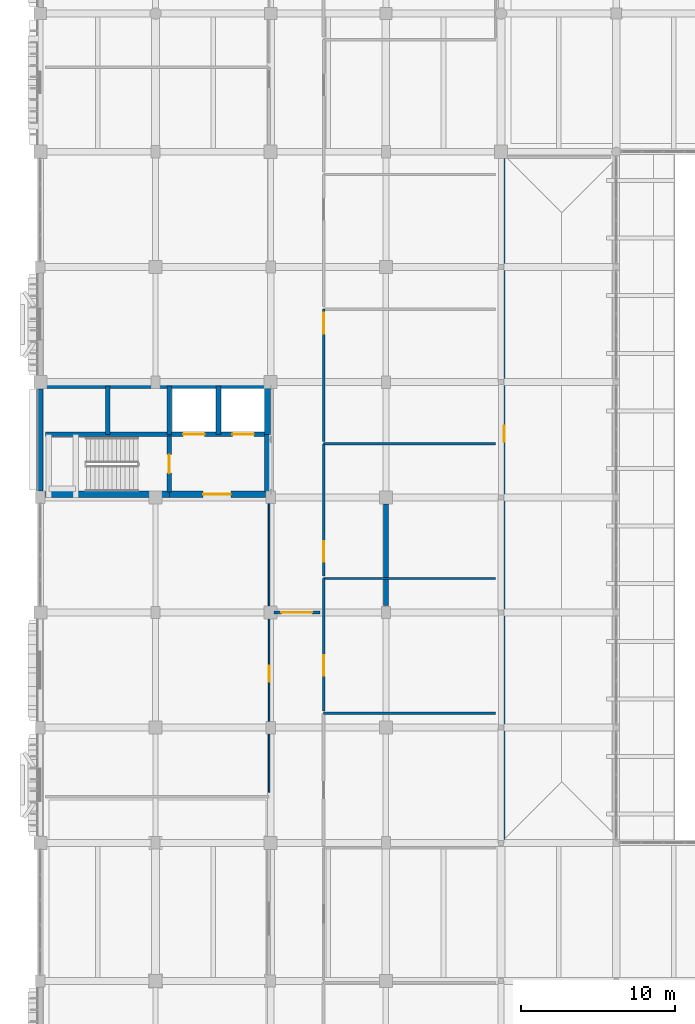
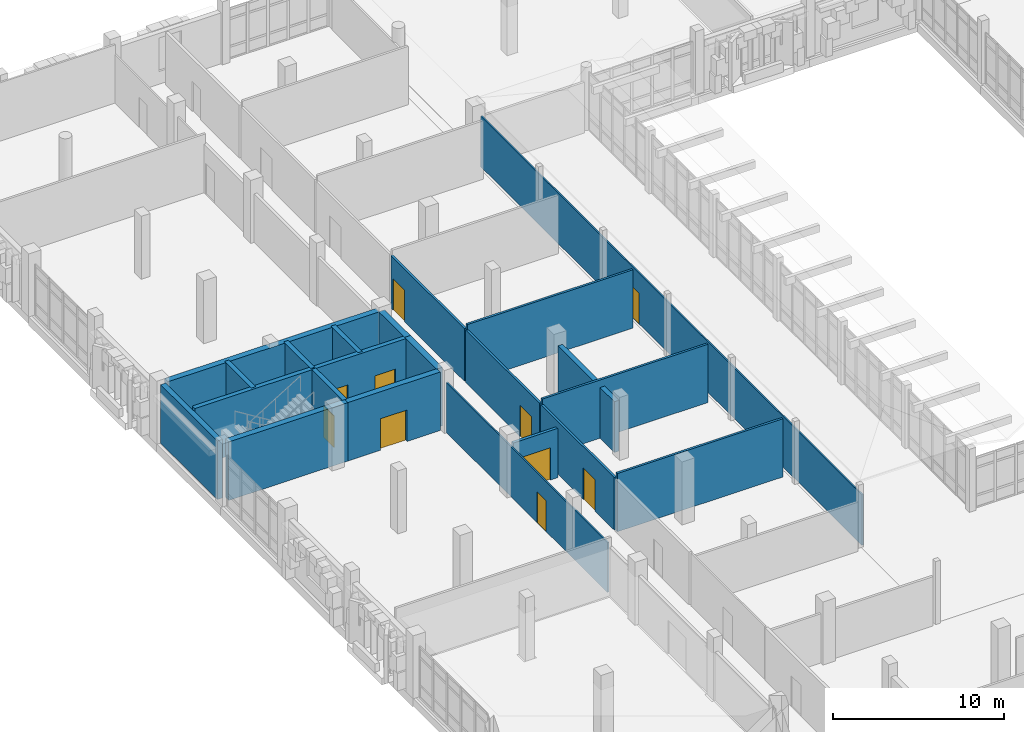
# One storey, part 97 of 128: 22 walls, 10 doors, 10 openings.
"""IFC4 building model written with IfcOpenShell, lengths in metres."""

import ifcopenshell
import ifcopenshell.guid

model = None  # the IFC model being written
_history = None  # IfcOwnerHistory: only IFC2X3 demands one
_inside = {}  # id of a spatial element -> (the spatial element, [elements in it])
_under = {}  # id of a project, library or spatial element -> (it, [spatial elements below it])
_declared = {}  # id of a project -> (the project, [libraries it declares])
_typed = {}  # id of a type object -> (the type object, [elements of that type])
_made_of = {}  # id of a material, layer set ... -> (it, [elements and type objects made of it])


def new_model(schema):
    """Start an empty IFC model of exactly this schema.

    Asked for "IFC4X3", IfcOpenShell would pick the latest addendum, in which some entities
    have other attributes; the version numbers below select the first issue.
    IFC2X3 requires an IfcOwnerHistory on every rooted entity: one is made here for all.
    """
    global model, _history
    if schema == "IFC4X3":
        model = ifcopenshell.file(schema_version=(4, 3, 0, 0))
    else:
        model = ifcopenshell.file(schema=schema)
    _inside.clear()
    _under.clear()
    _declared.clear()
    _typed.clear()
    _made_of.clear()
    _history = None
    if model.schema == "IFC2X3":
        org = make("IfcOrganization", Name="unknown")
        user = make(
            "IfcPersonAndOrganization",
            ThePerson=make("IfcPerson", FamilyName="unknown"),
            TheOrganization=org,
        )
        app = make(
            "IfcApplication",
            ApplicationDeveloper=org,
            Version="unknown",
            ApplicationFullName="unknown",
            ApplicationIdentifier="unknown",
        )
        _history = make(
            "IfcOwnerHistory",
            OwningUser=user,
            OwningApplication=app,
            ChangeAction="ADDED",
            CreationDate=0,
        )
    return model


def make(cls, **values):
    """One entity of the class cls with the attributes given. An attribute that is None is left unset."""
    return model.create_entity(
        cls, **{name: value for name, value in values.items() if value is not None}
    )


def rooted(cls, **values):
    """An entity with a GlobalId (a new one), such as an element, a storey or a relation."""
    return make(cls, GlobalId=ifcopenshell.guid.new(), OwnerHistory=_history, **values)


def si_unit(unit_type, name, prefix=None):
    """IfcSIUnit, for example si_unit("LENGTHUNIT", "METRE", prefix="MILLI")."""
    return make("IfcSIUnit", UnitType=unit_type, Prefix=prefix, Name=name)


def assignment(units):
    """IfcUnitAssignment: the units of a project."""
    return None if units is None else make("IfcUnitAssignment", Units=units)


def point(xyz):
    """IfcCartesianPoint."""
    return None if xyz is None else make("IfcCartesianPoint", Coordinates=xyz)


def direction(xyz):
    """IfcDirection."""
    return None if xyz is None else make("IfcDirection", DirectionRatios=xyz)


def frame(location, z_axis=None, x_axis=None):
    """IfcAxis2Placement3D, a coordinate frame: its origin and axes. An axis left out is left unset."""
    return make(
        "IfcAxis2Placement3D",
        Location=point(location),
        Axis=direction(z_axis),
        RefDirection=direction(x_axis),
    )


def frame_2d(location, x_axis=None):
    """IfcAxis2Placement2D, a coordinate frame in the plane: its origin and x axis."""
    return make(
        "IfcAxis2Placement2D", Location=point(location), RefDirection=direction(x_axis)
    )


def origin():
    """The frame at (0, 0, 0) with its axes left unset."""
    return frame((0.0, 0.0, 0.0))


def place(relative_to, where):
    """IfcLocalPlacement: puts the frame where relative to a parent placement (None: the world)."""
    return make(
        "IfcLocalPlacement", PlacementRelTo=relative_to, RelativePlacement=where
    )


def context(
    kind, dimensions, precision=None, world=None, true_north=None, identifier=None
):
    """IfcGeometricRepresentationContext, for example the 3D "Model" context."""
    return make(
        "IfcGeometricRepresentationContext",
        ContextIdentifier=identifier,
        ContextType=kind,
        CoordinateSpaceDimension=dimensions,
        Precision=precision,
        WorldCoordinateSystem=world,
        TrueNorth=true_north,
    )


def subcontext(parent, identifier, kind, view, scale=None):
    """IfcGeometricRepresentationSubContext, for example "Body" below "Model"."""
    return make(
        "IfcGeometricRepresentationSubContext",
        ContextIdentifier=identifier,
        ContextType=kind,
        ParentContext=parent,
        TargetScale=scale,
        TargetView=view,
    )


def project(units=None, contexts=None):
    """IfcProject with its units and contexts."""
    return rooted(
        "IfcProject",
        Name="project",
        RepresentationContexts=contexts,
        UnitsInContext=assignment(units),
    )


def spatial(cls, under=None, at=None, **own):
    """A site, building, storey or space (cls), placed at a placement, below another one or the project."""
    s = rooted(cls, ObjectPlacement=at, **own)
    if under is not None:
        _under.setdefault(under.id(), (under, []))[1].append(s)
    return s


def profile(cls, at=None, kind="AREA", **sizes):
    """A parametric profile (cls). Its sizes go by their IFC names, for example OverallWidth=200.0."""
    return make(cls, ProfileType=kind, Position=at, **sizes)


def rectangle(**sizes):
    """IfcRectangleProfileDef."""
    return profile("IfcRectangleProfileDef", **sizes)


def extrude(swept, where, along, depth):
    """IfcExtrudedAreaSolid: the profile swept, set in the frame where, extruded along a direction by depth."""
    return make(
        "IfcExtrudedAreaSolid",
        SweptArea=swept,
        Position=where,
        ExtrudedDirection=direction(along),
        Depth=depth,
    )


def shape(context_of_items, identifier, shape_type, items):
    """IfcShapeRepresentation: the items that make up one representation, for example the "Body"."""
    return make(
        "IfcShapeRepresentation",
        ContextOfItems=context_of_items,
        RepresentationIdentifier=identifier,
        RepresentationType=shape_type,
        Items=items,
    )


def material(Name=None, Category=None):
    """IfcMaterial."""
    return make("IfcMaterial", Name=Name, Category=Category)


def layer(
    of_material, thickness, ventilated=None, Name=None, Category=None, Priority=None
):
    """IfcMaterialLayer: one layer of a wall or slab, of a material (None: an air gap)."""
    return make(
        "IfcMaterialLayer",
        Material=of_material,
        LayerThickness=thickness,
        IsVentilated=ventilated,
        Name=Name,
        Category=Category,
        Priority=Priority,
    )


def layer_set(layers, Name=None):
    """IfcMaterialLayerSet."""
    return make("IfcMaterialLayerSet", MaterialLayers=layers, LayerSetName=Name)


def made_of(thing, what):
    """Note that an element or type object is made of a material, layer set ...; save() writes the relation."""
    if what is not None:
        _made_of.setdefault(what.id(), (what, []))[1].append(thing)
    return thing


def type_object(cls, material=None, **own):
    """A type object (cls), such as IfcWallType, which elements share."""
    return made_of(rooted(cls, **own), material)


def element(
    cls,
    number,
    at=None,
    inside=None,
    cuts=None,
    type_object=None,
    material=None,
    context=None,
    identifier="Body",
    shape_type=None,
    held_by="IfcProductDefinitionShape",
    body=None,
    shapes=None,
    **own,
):
    """One element of the class cls, such as IfcWall. Its Tag is "e" and its number.

    at: its placement. inside: the storey or other place that contains it. cuts: it is an
    opening in that element (IfcRelVoidsElement). A single representation is given by context,
    identifier, shape_type and body (its items); several are given by shapes. held_by: the class
    of the entity that holds the representations. save() writes the other relations.
    """
    e = rooted(cls, Tag="e%d" % number, ObjectPlacement=at, **own)
    if body is not None:
        shapes = [shape(context, identifier, shape_type, body)]
    if shapes is not None:
        e.Representation = make(held_by, Representations=shapes)
    if inside is not None:
        _inside.setdefault(inside.id(), (inside, []))[1].append(e)
    if cuts is not None:
        rooted(
            "IfcRelVoidsElement", RelatingBuildingElement=cuts, RelatedOpeningElement=e
        )
    if type_object is not None:
        _typed.setdefault(type_object.id(), (type_object, []))[1].append(e)
    return made_of(e, material)


def fill(opening, filler):
    """IfcRelFillsElement: the door or window that sits in an opening."""
    return rooted(
        "IfcRelFillsElement",
        RelatingOpeningElement=opening,
        RelatedBuildingElement=filler,
    )


def aggregate(whole, parts):
    """IfcRelAggregates: a whole, such as a stair, and the parts it consists of."""
    return rooted("IfcRelAggregates", RelatingObject=whole, RelatedObjects=parts)


def save(model, path):
    """Write the relations noted so far, then the file.

    IfcRelAggregates (storeys below a building ...), IfcRelContainedInSpatialStructure (elements
    in a storey), IfcRelDefinesByType, IfcRelAssociatesMaterial and IfcRelDeclares: one each for
    every whole, place, type object, material and project.
    """
    for whole, parts in _under.values():
        aggregate(whole, parts)
    for where, things in _inside.values():
        rooted(
            "IfcRelContainedInSpatialStructure",
            RelatedElements=things,
            RelatingStructure=where,
        )
    for kind, things in _typed.values():
        rooted("IfcRelDefinesByType", RelatedObjects=things, RelatingType=kind)
    for what, things in _made_of.values():
        rooted("IfcRelAssociatesMaterial", RelatedObjects=things, RelatingMaterial=what)
    for by, libraries in _declared.values():
        rooted("IfcRelDeclares", RelatingContext=by, RelatedDefinitions=libraries)
    model.write(path)


model = new_model("IFC4")

# Units and contexts
model_context = context("Model", 3, precision=1e-05, world=origin(), true_north=direction((0.0, 1.0)))
body_context = subcontext(model_context, "Body", "Model", "MODEL_VIEW")
ifc_project = project(units=[si_unit("LENGTHUNIT", "METRE"), si_unit("AREAUNIT", "SQUARE_METRE"), si_unit("VOLUMEUNIT", "CUBIC_METRE"), si_unit("PLANEANGLEUNIT", "RADIAN"), si_unit("MASSUNIT", "GRAM", prefix="KILO")], contexts=[model_context])

# Site, building, storey
site_placement = place(None, origin())
site = spatial("IfcSite", under=ifc_project, at=site_placement, CompositionType="ELEMENT")
building_placement = place(site_placement, origin())
building = spatial("IfcBuilding", under=site, at=building_placement, Name="Dalvernix Boulevard General Hospital", CompositionType="ELEMENT")
storey_placement = place(building_placement, frame((0.0, 0.0, 4.800048828125)))
storey = spatial("IfcBuildingStorey", under=building, at=storey_placement, Name="L01", CompositionType="ELEMENT", Elevation=4.800048828125)

# Wall
ifc_material_1 = material(Name="Concrete C40/50", Category="concrete")
ifc_layer_1 = layer(ifc_material_1, 0.39990234375)
ifc_layer_set_1 = layer_set([ifc_layer_1], Name="Concrete C40/50 (WAL-CSW-01)")
wall_type_1 = type_object("IfcWallType", Name="WAL-CSW-01", PredefinedType="SHEAR", material=ifc_layer_set_1)
wall_1_placement = place(storey_placement, frame((0.35009765625, 54.199951171875, 0.0), z_axis=(0.0, 0.0, 1.0), x_axis=(1.0, 0.0, 0.0)))
element("IfcWall", 1, at=wall_1_placement, inside=storey, type_object=wall_type_1, Name="L01 C2 south stairwell wall", PredefinedType="SHEAR", context=body_context, shape_type="SweptSolid", body=[
    extrude(rectangle(XDim=8.0498046875, YDim=0.39990234375, at=frame_2d((4.02490234375, 0.0))), origin(), (0.0, 0.0, 1.0), 4.179931640625),
])

# Wall, opening, door
wall_2_placement = place(storey_placement, frame((8.39990234375, 54.199951171875, 0.0), z_axis=(0.0, 0.0, 1.0), x_axis=(1.0, 0.0, 0.0)))
wall_2 = element("IfcWall", 2, at=wall_2_placement, inside=storey, type_object=wall_type_1, Name="L01 C2 south firefighting lobby wall", PredefinedType="SHEAR", context=body_context, shape_type="SweptSolid", body=[
    extrude(rectangle(XDim=6.25, YDim=0.39990234375, at=frame_2d((3.125, 0.0))), origin(), (0.0, 0.0, 1.0), 4.179931640625),
])
opening_1_placement = place(wall_2_placement, frame((2.199951171875, 0.0, 0.0)))
opening_1 = element("IfcOpeningElement", 3, at=opening_1_placement, cuts=wall_2, Name="Opening FD-01", PredefinedType="OPENING", context=body_context, shape_type="SweptSolid", body=[
    extrude(rectangle(XDim=1.800048828125, YDim=2.25, at=frame_2d((0.89990234375, 1.125))), frame((0.0, 0.2099609375, 0.0), z_axis=(0.0, -1.0, 0.0), x_axis=(1.0, 0.0, 0.0)), (0.0, 0.0, 1.0), 0.419921875),
])
ifc_material_2 = material(Name="Hospital laminate acoustic timber and steel frame", Category="steel")
door_type_1 = type_object("IfcDoorType", Name="DR-FD-01", OperationType="DOUBLE_DOOR_SINGLE_SWING", PredefinedType="DOOR", material=ifc_material_2)
door_1_placement = place(opening_1_placement, origin())
door_1 = element("IfcDoor", 4, at=door_1_placement, inside=storey, type_object=door_type_1, Name="L01 C2 firefighting lobby door", OperationType="DOUBLE_DOOR_SINGLE_SWING", OverallHeight=2.25, OverallWidth=1.800048828125, PredefinedType="DOOR", context=body_context, shape_type="SweptSolid", body=[
    extrude(rectangle(XDim=1.800048828125, YDim=2.25, at=frame_2d((0.89990234375, 1.125))), frame((0.0, 0.02490234375, 0.0), z_axis=(0.0, -1.0, 0.0), x_axis=(1.0, 0.0, 0.0)), (0.0, 0.0, 1.0), 0.050048828125),
])
fill(opening_1, door_1)

# Walls
wall_3_placement = place(storey_placement, frame((0.35009765625, 61.300048828125, 0.0), z_axis=(0.0, 0.0, 1.0), x_axis=(1.0, 0.0, 0.0)))
element("IfcWall", 5, at=wall_3_placement, inside=storey, type_object=wall_type_1, Name="L01 C2 north shaft core wall", PredefinedType="SHEAR", context=body_context, shape_type="SweptSolid", body=[
    extrude(rectangle(XDim=14.2998046875, YDim=0.39990234375, at=frame_2d((7.14990234375, 0.0))), origin(), (0.0, 0.0, 1.0), 4.179931640625),
])
wall_4_placement = place(storey_placement, frame((14.800048828125, 54.35009765625, 0.0), z_axis=(0.0, 0.0, 1.0), x_axis=(0.0, 1.0, 0.0)))
element("IfcWall", 6, at=wall_4_placement, inside=storey, type_object=wall_type_1, Name="L01 C2 east lobby core wall", PredefinedType="SHEAR", context=body_context, shape_type="SweptSolid", body=[
    extrude(rectangle(XDim=3.75, YDim=0.39990234375, at=frame_2d((1.875, 0.0))), origin(), (0.0, 0.0, 1.0), 4.179931640625),
])
wall_5_placement = place(storey_placement, frame((14.800048828125, 58.10009765625, 0.0), z_axis=(0.0, 0.0, 1.0), x_axis=(0.0, 1.0, 0.0)))
element("IfcWall", 7, at=wall_5_placement, inside=storey, type_object=wall_type_1, Name="L01 C2 east shaft core wall", PredefinedType="SHEAR", context=body_context, shape_type="SweptSolid", body=[
    extrude(rectangle(XDim=3.0498046875, YDim=0.39990234375, at=frame_2d((1.52490234375, 0.0))), origin(), (0.0, 0.0, 1.0), 4.179931640625),
])
ifc_layer_2 = layer(ifc_material_1, 0.300048828125)
ifc_layer_set_2 = layer_set([ifc_layer_2], Name="Concrete C40/50 (WAL-CSW-02)")
wall_type_2 = type_object("IfcWallType", Name="WAL-CSW-02", PredefinedType="SHEAR", material=ifc_layer_set_2)
wall_6_placement = place(storey_placement, frame((0.35009765625, 58.10009765625, 0.0), z_axis=(0.0, 0.0, 1.0), x_axis=(1.0, 0.0, 0.0)))
element("IfcWall", 8, at=wall_6_placement, inside=storey, type_object=wall_type_2, Name="L01 C2 riser spine wall", PredefinedType="SHEAR", context=body_context, shape_type="SweptSolid", body=[
    extrude(rectangle(XDim=8.0498046875, YDim=0.300048828125, at=frame_2d((4.02490234375, 0.0))), origin(), (0.0, 0.0, 1.0), 4.179931640625),
])

# Wall, openings, doors
wall_7_placement = place(storey_placement, frame((8.39990234375, 58.10009765625, 0.0), z_axis=(0.0, 0.0, 1.0), x_axis=(1.0, 0.0, 0.0)))
wall_7 = element("IfcWall", 9, at=wall_7_placement, inside=storey, type_object=wall_type_2, Name="L01 C2 lift shaft front wall", PredefinedType="SHEAR", context=body_context, shape_type="SweptSolid", body=[
    extrude(rectangle(XDim=6.25, YDim=0.300048828125, at=frame_2d((3.125, 0.0))), origin(), (0.0, 0.0, 1.0), 4.179931640625),
])
opening_2_placement = place(wall_7_placement, frame((0.89990234375, 0.0, 0.0)))
opening_2 = element("IfcOpeningElement", 10, at=opening_2_placement, cuts=wall_7, Name="Opening LD-FFL-03-L01", PredefinedType="OPENING", context=body_context, shape_type="SweptSolid", body=[
    extrude(rectangle(XDim=1.39990234375, YDim=2.25, at=frame_2d((0.699951171875, 1.125))), frame((0.0, 0.159912109375, 0.0), z_axis=(0.0, -1.0, 0.0), x_axis=(1.0, 0.0, 0.0)), (0.0, 0.0, 1.0), 0.320068359375),
])
opening_3_placement = place(wall_7_placement, frame((4.10009765625, 0.0, 0.0)))
opening_3 = element("IfcOpeningElement", 11, at=opening_3_placement, cuts=wall_7, Name="Opening LD-FFL-04-L01", PredefinedType="OPENING", context=body_context, shape_type="SweptSolid", body=[
    extrude(rectangle(XDim=1.39990234375, YDim=2.25, at=frame_2d((0.699951171875, 1.125))), frame((0.0, 0.159912109375, 0.0), z_axis=(0.0, -1.0, 0.0), x_axis=(1.0, 0.0, 0.0)), (0.0, 0.0, 1.0), 0.320068359375),
])
ifc_material_3 = material(Name="Stainless-clad steel", Category="steel")
door_type_2 = type_object("IfcDoorType", Name="DR-LD-01", OperationType="DOUBLE_DOOR_SLIDING", PredefinedType="DOOR", material=ifc_material_3)
door_2_placement = place(opening_2_placement, origin())
door_2 = element("IfcDoor", 12, at=door_2_placement, inside=storey, type_object=door_type_2, Name="L01 Lift FFL-03 sliding landing door", OperationType="DOUBLE_DOOR_SLIDING", OverallHeight=2.25, OverallWidth=1.39990234375, PredefinedType="DOOR", context=body_context, shape_type="SweptSolid", body=[
    extrude(rectangle(XDim=1.39990234375, YDim=2.25, at=frame_2d((0.699951171875, 1.125))), frame((0.0, 0.02490234375, 0.0), z_axis=(0.0, -1.0, 0.0), x_axis=(1.0, 0.0, 0.0)), (0.0, 0.0, 1.0), 0.050048828125),
])
fill(opening_2, door_2)
door_3_placement = place(opening_3_placement, origin())
door_3 = element("IfcDoor", 13, at=door_3_placement, inside=storey, type_object=door_type_2, Name="L01 Lift FFL-04 sliding landing door", OperationType="DOUBLE_DOOR_SLIDING", OverallHeight=2.25, OverallWidth=1.39990234375, PredefinedType="DOOR", context=body_context, shape_type="SweptSolid", body=[
    extrude(rectangle(XDim=1.39990234375, YDim=2.25, at=frame_2d((0.699951171875, 1.125))), frame((0.0, 0.02490234375, 0.0), z_axis=(0.0, -1.0, 0.0), x_axis=(1.0, 0.0, 0.0)), (0.0, 0.0, 1.0), 0.050048828125),
])
fill(opening_3, door_3)

# Wall, opening, door
wall_8_placement = place(storey_placement, frame((8.39990234375, 58.0, 0.0), z_axis=(0.0, 0.0, 1.0), x_axis=(0.0, -1.0, 0.0)))
wall_8 = element("IfcWall", 14, at=wall_8_placement, inside=storey, type_object=wall_type_2, Name="L01 C2 stairwell fire wall", PredefinedType="SHEAR", context=body_context, shape_type="SweptSolid", body=[
    extrude(rectangle(XDim=3.64990234375, YDim=0.300048828125, at=frame_2d((1.824951171875, 0.0))), origin(), (0.0, 0.0, 1.0), 4.179931640625),
])
opening_4_placement = place(wall_8_placement, frame((1.219970703125, 0.0, 0.0)))
opening_4 = element("IfcOpeningElement", 15, at=opening_4_placement, cuts=wall_8, Name="Opening FD-02", PredefinedType="OPENING", context=body_context, shape_type="SweptSolid", body=[
    extrude(rectangle(XDim=1.199951171875, YDim=2.25, at=frame_2d((0.60009765625, 1.125))), frame((0.0, 0.159912109375, 0.0), z_axis=(0.0, -1.0, 0.0), x_axis=(1.0, 0.0, 0.0)), (0.0, 0.0, 1.0), 0.320068359375),
])
door_type_3 = type_object("IfcDoorType", Name="DR-FD-02", OperationType="NOTDEFINED", PredefinedType="DOOR", material=ifc_material_2)
door_4_placement = place(opening_4_placement, origin())
door_4 = element("IfcDoor", 16, at=door_4_placement, inside=storey, type_object=door_type_3, Name="L01 Stair ST-02 fire door", OperationType="SINGLE_SWING_LEFT", OverallHeight=2.25, OverallWidth=1.199951171875, PredefinedType="DOOR", context=body_context, shape_type="SweptSolid", body=[
    extrude(rectangle(XDim=1.199951171875, YDim=2.25, at=frame_2d((0.60009765625, 1.125))), frame((0.0, 0.02490234375, 0.0), z_axis=(0.0, -1.0, 0.0), x_axis=(1.0, 0.0, 0.0)), (0.0, 0.0, 1.0), 0.050048828125),
])
fill(opening_4, door_4)

# Walls
for number, where, z_axis, x_axis, name in (
    (17, (4.39990234375, 58.10009765625, 0.0), (0.0, 0.0, 1.0), (0.0, 1.0, 0.0), "L01 C2 shaft divider R1"),
    (18, (8.39990234375, 58.10009765625, 0.0), (0.0, 0.0, 1.0), (0.0, 1.0, 0.0), "L01 C2 shaft divider R2"),
    (19, (11.60009765625, 58.10009765625, 0.0), (0.0, 0.0, 1.0), (0.0, 1.0, 0.0), "L01 C2 shaft divider L1"),
):
    element("IfcWall", number, at=place(storey_placement, frame(where, z_axis=z_axis, x_axis=x_axis)), inside=storey, type_object=wall_type_2, Name=name, PredefinedType="SHEAR", context=body_context, shape_type="SweptSolid", body=[
        extrude(rectangle(XDim=3.14990234375, YDim=0.300048828125, at=frame_2d((1.574951171875, 0.0))), origin(), (0.0, 0.0, 1.0), 4.179931640625),
    ])
ifc_layer_3 = layer(ifc_material_1, 0.35009765625)
ifc_layer_set_3 = layer_set([ifc_layer_3], Name="Concrete C40/50 (WAL-ESW-01)")
wall_type_3 = type_object("IfcWallType", Name="WAL-ESW-01", PredefinedType="SHEAR", material=ifc_layer_set_3)
wall_9_placement = place(storey_placement, frame((0.0, 54.409912109375, 0.0), z_axis=(0.0, 0.0, 1.0), x_axis=(0.0, 1.0, 0.0)))
element("IfcWall", 20, at=wall_9_placement, inside=storey, type_object=wall_type_3, Name="L01 core perimeter shear wall W 0-7", PredefinedType="SHEAR", context=body_context, shape_type="SweptSolid", body=[
    extrude(rectangle(XDim=6.655029296875, YDim=0.35009765625, at=frame_2d((3.32763671875, 0.0))), origin(), (0.0, 0.0, 1.0), 4.179931640625),
])
ifc_layer_4 = layer(ifc_material_1, 0.320068359375)
ifc_layer_set_4 = layer_set([ifc_layer_4], Name="Concrete C40/50 (WAL-ESW-02)")
wall_type_4 = type_object("IfcWallType", Name="WAL-ESW-02", PredefinedType="SHEAR", material=ifc_layer_set_4)
wall_10_placement = place(storey_placement, frame((22.5, 46.949951171875, 0.0), z_axis=(0.0, 0.0, 1.0), x_axis=(0.0, 1.0, 0.0)))
element("IfcWall", 21, at=wall_10_placement, inside=storey, type_object=wall_type_4, Name="L01 reinforced concrete shear wall 2", PredefinedType="SHEAR", context=body_context, shape_type="SweptSolid", body=[
    extrude(rectangle(XDim=6.60009765625, YDim=0.320068359375, at=frame_2d((3.300048828125, 0.0))), origin(), (0.0, 0.0, 1.0), 3.6298828125),
])

# Wall, opening, door
ifc_material_4 = material(Name="Fire-compartment corridor masonry wall", Category="masonry")
ifc_layer_5 = layer(ifc_material_4, 0.199951171875)
ifc_layer_set_5 = layer_set([ifc_layer_5], Name="Fire-compartment corridor masonry wall (WAL-IW-02)")
wall_type_5 = type_object("IfcWallType", Name="WAL-IW-02", PredefinedType="STANDARD", material=ifc_layer_set_5)
wall_11_placement = place(storey_placement, frame((15.199951171875, 46.5, 0.0), z_axis=(0.0, 0.0, 1.0), x_axis=(1.0, 0.0, 0.0)))
wall_11 = element("IfcWall", 22, at=wall_11_placement, inside=storey, type_object=wall_type_5, Name="L01 horizontal progressive evacuation compartment wall 2", PredefinedType="STANDARD", context=body_context, shape_type="SweptSolid", body=[
    extrude(rectangle(XDim=3.0, YDim=0.199951171875, at=frame_2d((1.5, 0.0))), origin(), (0.0, 0.0, 1.0), 3.514892578125),
])
opening_5_placement = place(wall_11_placement, frame((0.5, 0.0, 0.0)))
opening_5 = element("IfcOpeningElement", 23, at=opening_5_placement, cuts=wall_11, Name="Opening FD-03", PredefinedType="OPENING", context=body_context, shape_type="SweptSolid", body=[
    extrude(rectangle(XDim=2.0, YDim=2.300048828125, at=frame_2d((1.0, 1.14990234375))), frame((0.0, 0.10986328125, 0.0), z_axis=(0.0, -1.0, 0.0), x_axis=(1.0, 0.0, 0.0)), (0.0, 0.0, 1.0), 0.219970703125),
])
door_type_4 = type_object("IfcDoorType", Name="DR-FD-03", OperationType="DOUBLE_DOOR_SINGLE_SWING", PredefinedType="DOOR", material=ifc_material_2)
door_5_placement = place(opening_5_placement, origin())
door_5 = element("IfcDoor", 24, at=door_5_placement, inside=storey, type_object=door_type_4, Name="L01 horizontal compartment hold-open fire door 2", OperationType="DOUBLE_DOOR_SINGLE_SWING", OverallHeight=2.300048828125, OverallWidth=2.0, PredefinedType="DOOR", context=body_context, shape_type="SweptSolid", body=[
    extrude(rectangle(XDim=2.0, YDim=2.300048828125, at=frame_2d((1.0, 1.14990234375))), frame((0.0, 0.02490234375, 0.0), z_axis=(0.0, -1.0, 0.0), x_axis=(1.0, 0.0, 0.0)), (0.0, 0.0, 1.0), 0.050048828125),
])
fill(opening_5, door_5)

ifc_material_5 = material(Name="Acoustic double-stud gypsum inpatient partition")
ifc_layer_6 = layer(ifc_material_5, 0.14990234375)
ifc_layer_set_6 = layer_set([ifc_layer_6], Name="Acoustic double-stud gypsum inpatient partition (WAL-IW-04)")
wall_type_6 = type_object("IfcWallType", Name="WAL-IW-04", PredefinedType="PARTITIONING", material=ifc_layer_set_6)
wall_12_placement = place(storey_placement, frame((18.449951171875, 48.708984375, 0.0), z_axis=(0.0, 0.0, 1.0), x_axis=(0.0, -1.0, 0.0)))
wall_12 = element("IfcWall", 25, at=wall_12_placement, inside=storey, type_object=wall_type_6, Name="L01 Outpatient Consultation Clinic corridor wall", PredefinedType="PARTITIONING", context=body_context, shape_type="SweptSolid", body=[
    extrude(rectangle(XDim=8.6123046875, YDim=0.14990234375, at=frame_2d((4.30615234375, 0.0))), origin(), (0.0, 0.0, 1.0), 3.764892578125),
])
opening_6_placement = place(wall_12_placement, frame((4.9833984375, 0.0, 0.0)))
opening_6 = element("IfcOpeningElement", 26, at=opening_6_placement, cuts=wall_12, Name="Opening ID-01", PredefinedType="OPENING", context=body_context, shape_type="SweptSolid", body=[
    extrude(rectangle(XDim=1.35009765625, YDim=2.25, at=frame_2d((0.675048828125, 1.125))), frame((0.0, 0.0849609375, 0.0), z_axis=(0.0, -1.0, 0.0), x_axis=(1.0, 0.0, 0.0)), (0.0, 0.0, 1.0), 0.169921875),
])
door_type_5 = type_object("IfcDoorType", Name="DR-ID-01", OperationType="NOTDEFINED", PredefinedType="DOOR", material=ifc_material_2)
door_6_placement = place(opening_6_placement, origin())
door_6 = element("IfcDoor", 27, at=door_6_placement, inside=storey, type_object=door_type_5, Name="L01 Outpatient Consultation Clinic door", OperationType="SINGLE_SWING_LEFT", OverallHeight=2.25, OverallWidth=1.35009765625, PredefinedType="DOOR", context=body_context, shape_type="SweptSolid", body=[
    extrude(rectangle(XDim=1.35009765625, YDim=2.25, at=frame_2d((0.675048828125, 1.125))), frame((0.0, 0.02490234375, 0.0), z_axis=(0.0, -1.0, 0.0), x_axis=(1.0, 0.0, 0.0)), (0.0, 0.0, 1.0), 0.050048828125),
])
fill(opening_6, door_6)

wall_13_placement = place(storey_placement, frame((18.449951171875, 57.481201171875, 0.0), z_axis=(0.0, 0.0, 1.0), x_axis=(0.0, -1.0, 0.0)))
wall_13 = element("IfcWall", 28, at=wall_13_placement, inside=storey, type_object=wall_type_6, Name="L01 Outpatient Consultation Clinic corridor wall", PredefinedType="PARTITIONING", context=body_context, shape_type="SweptSolid", body=[
    extrude(rectangle(XDim=8.6123046875, YDim=0.14990234375, at=frame_2d((4.30615234375, 0.0))), origin(), (0.0, 0.0, 1.0), 3.764892578125),
])
opening_7_placement = place(wall_13_placement, frame((6.3359375, 0.0, 0.0)))
opening_7 = element("IfcOpeningElement", 29, at=opening_7_placement, cuts=wall_13, Name="Opening ID-01", PredefinedType="OPENING", context=body_context, shape_type="SweptSolid", body=[
    extrude(rectangle(XDim=1.35009765625, YDim=2.25, at=frame_2d((0.675048828125, 1.125))), frame((0.0, 0.0849609375, 0.0), z_axis=(0.0, -1.0, 0.0), x_axis=(1.0, 0.0, 0.0)), (0.0, 0.0, 1.0), 0.169921875),
])
door_7_placement = place(opening_7_placement, origin())
door_7 = element("IfcDoor", 30, at=door_7_placement, inside=storey, type_object=door_type_5, Name="L01 Outpatient Consultation Clinic door", OperationType="SINGLE_SWING_RIGHT", OverallHeight=2.25, OverallWidth=1.35009765625, PredefinedType="DOOR", context=body_context, shape_type="SweptSolid", body=[
    extrude(rectangle(XDim=1.35009765625, YDim=2.25, at=frame_2d((0.675048828125, 1.125))), frame((0.0, 0.02490234375, 0.0), z_axis=(0.0, -1.0, 0.0), x_axis=(1.0, 0.0, 0.0)), (0.0, 0.0, 1.0), 0.050048828125),
])
fill(opening_7, door_7)

wall_14_placement = place(storey_placement, frame((18.449951171875, 66.25341796875, 0.0), z_axis=(0.0, 0.0, 1.0), x_axis=(0.0, -1.0, 0.0)))
wall_14 = element("IfcWall", 31, at=wall_14_placement, inside=storey, type_object=wall_type_6, Name="L01 Outpatient Consultation Clinic corridor wall", PredefinedType="PARTITIONING", context=body_context, shape_type="SweptSolid", body=[
    extrude(rectangle(XDim=8.6123046875, YDim=0.14990234375, at=frame_2d((4.30615234375, 0.0))), origin(), (0.0, 0.0, 1.0), 3.764892578125),
])
opening_8_placement = place(wall_14_placement, frame((0.25, 0.0, 0.0)))
opening_8 = element("IfcOpeningElement", 32, at=opening_8_placement, cuts=wall_14, Name="Opening ID-01", PredefinedType="OPENING", context=body_context, shape_type="SweptSolid", body=[
    extrude(rectangle(XDim=1.35009765625, YDim=2.25, at=frame_2d((0.675048828125, 1.125))), frame((0.0, 0.0849609375, 0.0), z_axis=(0.0, -1.0, 0.0), x_axis=(1.0, 0.0, 0.0)), (0.0, 0.0, 1.0), 0.169921875),
])
door_8_placement = place(opening_8_placement, origin())
door_8 = element("IfcDoor", 33, at=door_8_placement, inside=storey, type_object=door_type_5, Name="L01 Outpatient Consultation Clinic door", OperationType="SINGLE_SWING_LEFT", OverallHeight=2.25, OverallWidth=1.35009765625, PredefinedType="DOOR", context=body_context, shape_type="SweptSolid", body=[
    extrude(rectangle(XDim=1.35009765625, YDim=2.25, at=frame_2d((0.675048828125, 1.125))), frame((0.0, 0.02490234375, 0.0), z_axis=(0.0, -1.0, 0.0), x_axis=(1.0, 0.0, 0.0)), (0.0, 0.0, 1.0), 0.050048828125),
])
fill(opening_8, door_8)

# Walls
for number, where, z_axis, x_axis, name in (
    (34, (18.449951171875, 39.936767578125, 0.0), (0.0, 0.0, 1.0), (1.0, 0.0, 0.0), "L01 Patient and Family Day Lounge L01 partition"),
    (35, (18.449951171875, 48.708984375, 0.0), (0.0, 0.0, 1.0), (1.0, 0.0, 0.0), "L01 Outpatient Consultation Clinic partition"),
    (36, (18.449951171875, 57.481201171875, 0.0), (0.0, 0.0, 1.0), (1.0, 0.0, 0.0), "L01 Outpatient Consultation Clinic partition"),
):
    element("IfcWall", number, at=place(storey_placement, frame(where, z_axis=z_axis, x_axis=x_axis)), inside=storey, type_object=wall_type_6, Name=name, PredefinedType="PARTITIONING", context=body_context, shape_type="SweptSolid", body=[
        extrude(rectangle(XDim=11.199951171875, YDim=0.14990234375, at=frame_2d((5.60009765625, 0.0))), origin(), (0.0, 0.0, 1.0), 4.1650390625),
    ])

# Wall, opening, door
ifc_material_6 = material(Name="Fire-resisting clinical sub-partition")
ifc_layer_7 = layer(ifc_material_6, 0.10009765625)
ifc_layer_set_7 = layer_set([ifc_layer_7], Name="Fire-resisting clinical sub-partition (WAL-IW-06)")
wall_type_7 = type_object("IfcWallType", Name="WAL-IW-06", PredefinedType="PARTITIONING", material=ifc_layer_set_7)
wall_15_placement = place(storey_placement, frame((14.89990234375, 34.800048828125, 0.0), z_axis=(0.0, 0.0, 1.0), x_axis=(0.0, 1.0, 0.0)))
wall_15 = element("IfcWall", 37, at=wall_15_placement, inside=storey, type_object=wall_type_7, Name="L01 Rehabilitation Hydrotherapy Pool Hall corridor wall", PredefinedType="PARTITIONING", context=body_context, shape_type="SweptSolid", body=[
    extrude(rectangle(XDim=18.89990234375, YDim=0.10009765625, at=frame_2d((9.449951171875, 0.0))), origin(), (0.0, 0.0, 1.0), 3.56494140625),
])
opening_9_placement = place(wall_15_placement, frame((7.18994140625, 0.0, 0.0)))
opening_9 = element("IfcOpeningElement", 38, at=opening_9_placement, cuts=wall_15, Name="Opening ID-07", PredefinedType="OPENING", context=body_context, shape_type="SweptSolid", body=[
    extrude(rectangle(XDim=1.050048828125, YDim=2.199951171875, at=frame_2d((0.52490234375, 1.10009765625))), frame((0.0, 0.06005859375, 0.0), z_axis=(0.0, -1.0, 0.0), x_axis=(1.0, 0.0, 0.0)), (0.0, 0.0, 1.0), 0.1201171875),
])
door_type_6 = type_object("IfcDoorType", Name="DR-ID-07", OperationType="NOTDEFINED", PredefinedType="DOOR", material=ifc_material_2)
door_9_placement = place(opening_9_placement, origin())
door_9 = element("IfcDoor", 39, at=door_9_placement, inside=storey, type_object=door_type_6, Name="L01 Rehabilitation Hydrotherapy Pool Hall door", OperationType="SINGLE_SWING_LEFT", OverallHeight=2.199951171875, OverallWidth=1.050048828125, PredefinedType="DOOR", context=body_context, shape_type="SweptSolid", body=[
    extrude(rectangle(XDim=1.050048828125, YDim=2.199951171875, at=frame_2d((0.52490234375, 1.10009765625))), frame((0.0, 0.02490234375, 0.0), z_axis=(0.0, -1.0, 0.0), x_axis=(1.0, 0.0, 0.0)), (0.0, 0.0, 1.0), 0.050048828125),
])
fill(opening_9, door_9)

wall_16_placement = place(storey_placement, frame((30.199951171875, 76.14990234375, 0.0), z_axis=(0.0, 0.0, 1.0), x_axis=(0.0, -1.0, 0.0)))
wall_16 = element("IfcWall", 40, at=wall_16_placement, inside=storey, type_object=wall_type_7, Name="L01 L01 West Cloister Colonnade Loggia corridor wall", PredefinedType="PARTITIONING", context=body_context, shape_type="SweptSolid", body=[
    extrude(rectangle(XDim=44.64990234375, YDim=0.10009765625, at=frame_2d((22.324951171875, 0.0))), origin(), (0.0, 0.0, 1.0), 3.614990234375),
])
opening_10_placement = place(wall_16_placement, frame((17.489990234375, 0.0, 0.0)))
opening_10 = element("IfcOpeningElement", 41, at=opening_10_placement, cuts=wall_16, Name="Opening ID-07", PredefinedType="OPENING", context=body_context, shape_type="SweptSolid", body=[
    extrude(rectangle(XDim=1.050048828125, YDim=2.199951171875, at=frame_2d((0.52490234375, 1.10009765625))), frame((0.0, 0.06005859375, 0.0), z_axis=(0.0, -1.0, 0.0), x_axis=(1.0, 0.0, 0.0)), (0.0, 0.0, 1.0), 0.1201171875),
])
door_10_placement = place(opening_10_placement, origin())
door_10 = element("IfcDoor", 42, at=door_10_placement, inside=storey, type_object=door_type_6, Name="L01 L01 West Cloister Colonnade Loggia door", OperationType="SINGLE_SWING_LEFT", OverallHeight=2.199951171875, OverallWidth=1.050048828125, PredefinedType="DOOR", context=body_context, shape_type="SweptSolid", body=[
    extrude(rectangle(XDim=1.050048828125, YDim=2.199951171875, at=frame_2d((0.52490234375, 1.10009765625))), frame((0.0, 0.02490234375, 0.0), z_axis=(0.0, -1.0, 0.0), x_axis=(1.0, 0.0, 0.0)), (0.0, 0.0, 1.0), 0.050048828125),
])
fill(opening_10, door_10)

save(model, "model.ifc")
